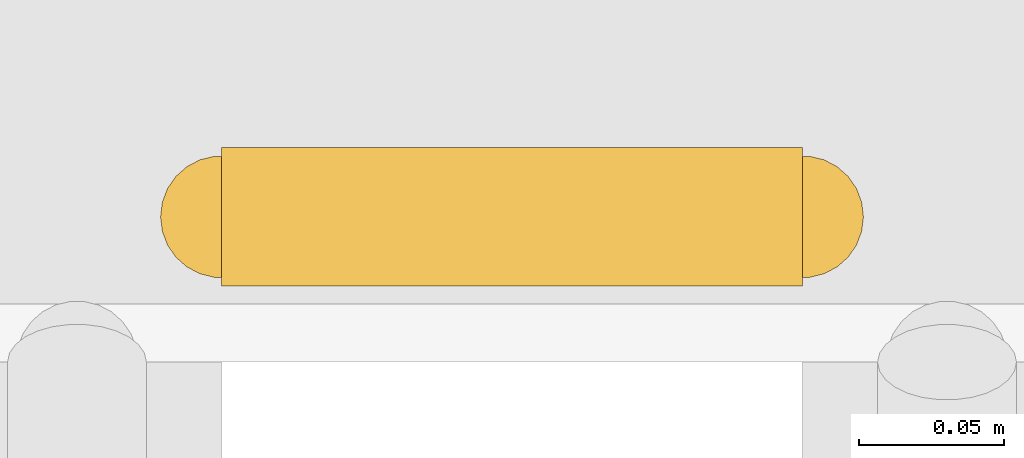
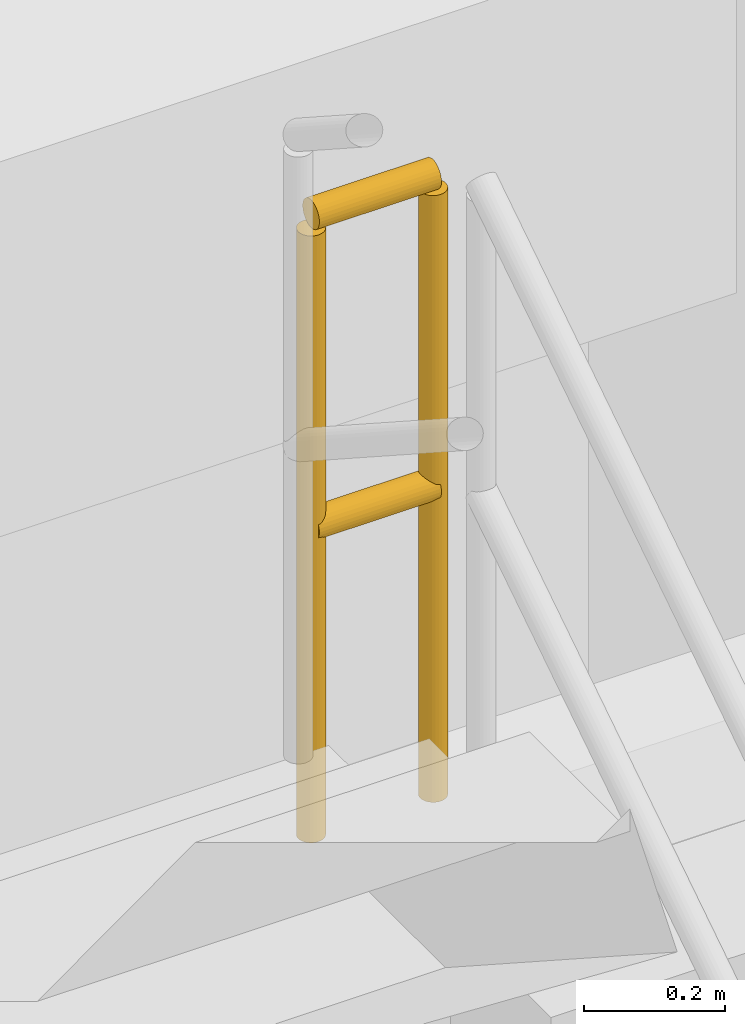
# One storey, part 79 of 80: 1 railing.
"""IFC4 building model written with IfcOpenShell, lengths in metres."""

from ifc_helpers import new_model, si_unit, direction, frame, origin, origin_2d, place, context, subcontext, project, spatial, circle, extrude, material, type_object, element, save


model = new_model("IFC4")

# Units and contexts
model_context = context("Model", 3, precision=1e-05, world=origin(), true_north=direction((0.0, 1.0)))
body_context = subcontext(model_context, "Body", "Model", "MODEL_VIEW")
ifc_project = project(units=[si_unit("LENGTHUNIT", "METRE"), si_unit("AREAUNIT", "SQUARE_METRE"), si_unit("VOLUMEUNIT", "CUBIC_METRE"), si_unit("PLANEANGLEUNIT", "RADIAN"), si_unit("MASSUNIT", "GRAM", prefix="KILO")], contexts=[model_context])

# Site, building, storey
site_placement = place(None, origin())
site = spatial("IfcSite", under=ifc_project, at=site_placement, CompositionType="ELEMENT")
building_placement = place(site_placement, origin())
building = spatial("IfcBuilding", under=site, at=building_placement, Name="Khurvash Pelagic Aquarium", CompositionType="ELEMENT")
storey_placement = place(building_placement, frame((0.0, 0.0, 10.800048828125)))
storey = spatial("IfcBuildingStorey", under=building, at=storey_placement, Name="L02", CompositionType="ELEMENT", Elevation=10.800048828125)

# Railing
ifc_material = material(Name="Powder-coated galvanised steel S355J2", Category="steel")
railing_type = type_object("IfcRailingType", Name="GR-01", PredefinedType="GUARDRAIL", material=ifc_material)
railing_placement = place(storey_placement, frame((70.10009765625, 98.969970703125, 2.39990234375)))
element("IfcRailing", 1, at=railing_placement, inside=storey, type_object=railing_type, Name="L02 ST-04 stair guard 2", PredefinedType="GUARDRAIL", context=body_context, shape_type="SweptSolid", body=[
    extrude(circle(Radius=0.02392578125, at=origin_2d()), frame((0.0, 0.0, 1.076171875), z_axis=(-1.0, 0.0, 0.0), x_axis=(0.0, -1.0, 0.0)), (0.0, 0.0, 1.0), 0.2001953125),
    extrude(circle(Radius=0.02392578125, at=origin_2d()), frame((0.0, 0.0, 0.5380859375), z_axis=(-1.0, 0.0, 0.0), x_axis=(0.0, -1.0, 0.0)), (0.0, 0.0, 1.0), 0.2001953125),
    extrude(circle(Radius=0.02099609375, at=origin_2d()), origin(), (0.0, 0.0, 1.0), 1.052001953125),
    extrude(circle(Radius=0.02099609375, at=origin_2d()), frame((-0.2001953125, 0.0, 0.0)), (0.0, 0.0, 1.0), 1.052001953125),
])

save(model, "model.ifc")
